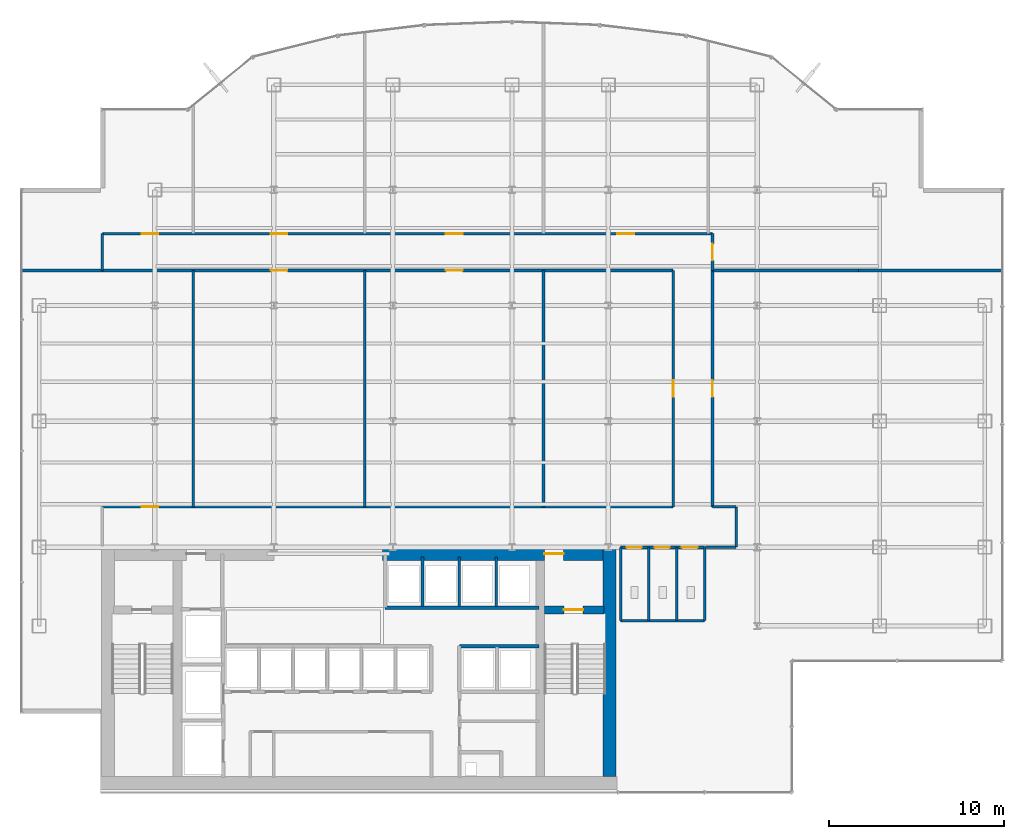
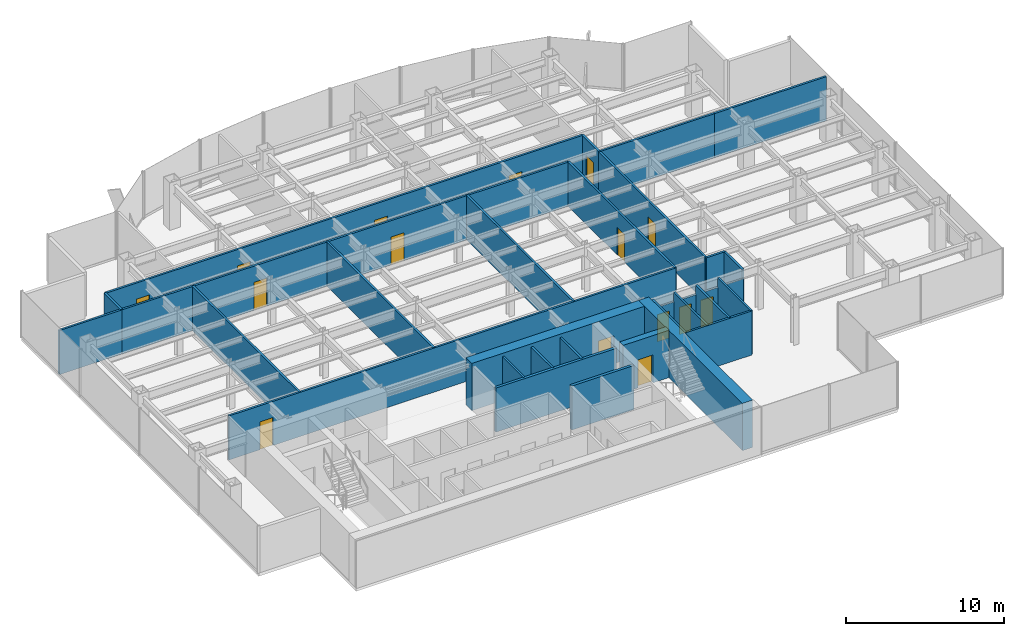
# One storey, part 22 of 26: 30 walls, 15 doors, 15 openings.
"""IFC4 building model written with IfcOpenShell, lengths in metres."""

from ifc_helpers import new_model, si_unit, derived_unit, direction, frame, frame_2d, origin, place, context, subcontext, project, spatial, rectangle, extrude, source, transform, mapped, material, layer, layer_set, type_object, element, fill, save


model = new_model("IFC4")

# Units and contexts
model_context = context("Model", 3, precision=1e-05, world=origin(), true_north=direction((0.0, 1.0)))
body_context = subcontext(model_context, "Body", "Model", "MODEL_VIEW")
ifc_project = project(units=[si_unit("LENGTHUNIT", "METRE"), si_unit("AREAUNIT", "SQUARE_METRE"), si_unit("VOLUMEUNIT", "CUBIC_METRE"), si_unit("PLANEANGLEUNIT", "RADIAN"), si_unit("MASSUNIT", "GRAM", prefix="KILO"), derived_unit("THERMALTRANSMITTANCEUNIT", [(si_unit("POWERUNIT", "WATT"), 1), (si_unit("LENGTHUNIT", "METRE"), -2), (si_unit("THERMODYNAMICTEMPERATUREUNIT", "KELVIN"), -1)])], contexts=[model_context])

# Site, building, storey
site_placement = place(None, origin())
site = spatial("IfcSite", under=ifc_project, at=site_placement, CompositionType="ELEMENT")
building_placement = place(site_placement, origin())
building = spatial("IfcBuilding", under=site, at=building_placement, Name="Skarnbrae Concourse Arena and Tower", CompositionType="ELEMENT")
storey_placement = place(building_placement, frame((0.0, 0.0, 103.25)))
storey = spatial("IfcBuildingStorey", under=building, at=storey_placement, Name="L25", CompositionType="ELEMENT", Elevation=103.25)

# Wall, opening, door
ifc_material_1 = material(Name="Concrete 50 MPa (C50/60)", Category="concrete")
ifc_layer_1 = layer(ifc_material_1, 0.449951171875)
ifc_layer_set_1 = layer_set([ifc_layer_1], Name="Concrete 50 MPa (C50/60)")
wall_type_1 = type_object("IfcWallType", Name="WALL-CORE-450-C50", PredefinedType="SHEAR", material=ifc_layer_set_1)
shared_shape_1 = source(origin(), body_context, "Body", "SweptSolid", [
    extrude(rectangle(XDim=3.389892578125, YDim=0.449951171875, at=frame_2d((1.69482421875, 0.0))), origin(), (0.0, 0.0, 1.0), 3.64990234375),
])
wall_1_placement = place(storey_placement, frame((29.860107421875, 10.419921875, 0.0), z_axis=(0.0, 0.0, 1.0), x_axis=(1.0, 0.0, 0.0)))
wall_1 = element("IfcWall", 1, at=wall_1_placement, inside=storey, type_object=wall_type_1, Name="L25 Rear core shear wall CW-ST2-N", PredefinedType="SHEAR", context=body_context, shape_type="MappedRepresentation", body=[
    mapped(shared_shape_1, transform((0.0, 0.0, 0.0))),
])
opening_1_placement = place(wall_1_placement, frame((1.10009765625, 0.0, 0.0)))
opening_1 = element("IfcOpeningElement", 2, at=opening_1_placement, cuts=wall_1, Name="Opening DT-03", PredefinedType="OPENING", context=body_context, shape_type="SweptSolid", body=[
    extrude(rectangle(XDim=1.10009765625, YDim=2.14990234375, at=frame_2d((0.550048828125, 1.074951171875))), frame((0.0, 0.23486328125, 0.0), z_axis=(0.0, -1.0, 0.0), x_axis=(1.0, 0.0, 0.0)), (0.0, 0.0, 1.0), 0.469970703125),
])
ifc_material_2 = material(Name="Steel CSA G40.21 350W", Category="steel")
door_type_1 = type_object("IfcDoorType", Name="DOOR-FIRE-1100-90M", OperationType="NOTDEFINED", PredefinedType="DOOR", material=ifc_material_2)
shared_shape_2 = source(origin(), body_context, "Body", "SweptSolid", [
    extrude(rectangle(XDim=1.10009765625, YDim=2.14990234375, at=frame_2d((0.550048828125, 1.074951171875))), frame((0.0, 0.02490234375, 0.0), z_axis=(0.0, -1.0, 0.0), x_axis=(1.0, 0.0, 0.0)), (0.0, 0.0, 1.0), 0.050048828125),
])
door_1_placement = place(opening_1_placement, frame((1.10009765625, 0.0, 0.0), z_axis=(0.0, 0.0, 1.0), x_axis=(-1.0, 0.0, 0.0)))
door_1 = element("IfcDoor", 3, at=door_1_placement, inside=storey, type_object=door_type_1, Name="D-0838 Stair ST-2 Door", OperationType="SINGLE_SWING_RIGHT", OverallHeight=2.14990234375, OverallWidth=1.10009765625, PredefinedType="DOOR", context=body_context, shape_type="MappedRepresentation", body=[
    mapped(shared_shape_2, transform((0.0, 0.0, 0.0))),
])
fill(opening_1, door_1)

# Wall
ifc_material_3 = material(Name="Concrete 60 MPa (C60/75)", Category="concrete")
ifc_layer_2 = layer(ifc_material_3, 0.75)
ifc_layer_set_2 = layer_set([ifc_layer_2], Name="Concrete 60 MPa (C60/75)")
wall_type_2 = type_object("IfcWallType", Name="WALL-CORE-750-C60", PredefinedType="SHEAR", material=ifc_layer_set_2)
shared_shape_3 = source(origin(), body_context, "Body", "SweptSolid", [
    extrude(rectangle(XDim=13.10009765625, YDim=0.75, at=frame_2d((6.550048828125, 0.0))), origin(), (0.0, 0.0, 1.0), 3.64990234375),
])
wall_2_placement = place(storey_placement, frame((33.574951171875, 0.89990234375, 0.0), z_axis=(0.0, 0.0, 1.0), x_axis=(0.0, 1.0, 0.0)))
element("IfcWall", 4, at=wall_2_placement, inside=storey, type_object=wall_type_2, Name="L25 Rear core shear wall CW-E", PredefinedType="SHEAR", context=body_context, shape_type="MappedRepresentation", body=[
    mapped(shared_shape_3, transform((0.0, 0.0, 0.0))),
])

# Wall, opening, door
shared_shape_4 = source(origin(), body_context, "Body", "SweptSolid", [
    extrude(rectangle(XDim=12.599853515625, YDim=0.75, at=frame_2d((6.2998046875, 0.0))), origin(), (0.0, 0.0, 1.0), 3.64990234375),
])
wall_3_placement = place(storey_placement, frame((20.60009765625, 13.625, 0.0), z_axis=(0.0, 0.0, 1.0), x_axis=(1.0, 0.0, 0.0)))
wall_3 = element("IfcWall", 5, at=wall_3_placement, inside=storey, type_object=wall_type_2, Name="L25 Rear core shear wall CW-NE", PredefinedType="SHEAR", context=body_context, shape_type="MappedRepresentation", body=[
    mapped(shared_shape_4, transform((0.0, 0.0, 0.0))),
])
opening_2_placement = place(wall_3_placement, frame((9.25, 0.0, 0.0)))
opening_2 = element("IfcOpeningElement", 6, at=opening_2_placement, cuts=wall_3, Name="Opening DT-03", PredefinedType="OPENING", context=body_context, shape_type="SweptSolid", body=[
    extrude(rectangle(XDim=1.10009765625, YDim=2.14990234375, at=frame_2d((0.550048828125, 1.074951171875))), frame((0.0, 0.385009765625, 0.0), z_axis=(0.0, -1.0, 0.0), x_axis=(1.0, 0.0, 0.0)), (0.0, 0.0, 1.0), 0.77001953125),
])
door_2_placement = place(opening_2_placement, origin())
door_2 = element("IfcDoor", 7, at=door_2_placement, inside=storey, type_object=door_type_1, Name="D-0840 Stair ST-2 Vestibule Door", OperationType="SINGLE_SWING_LEFT", OverallHeight=2.14990234375, OverallWidth=1.10009765625, PredefinedType="DOOR", context=body_context, shape_type="MappedRepresentation", body=[
    mapped(shared_shape_2, transform((0.0, 0.0, 0.0))),
])
fill(opening_2, door_2)

# Walls
ifc_material_4 = material(Name="Gypsum board on cold-formed steel studs", Category="steel")
ifc_layer_3 = layer(ifc_material_4, 0.199951171875)
ifc_layer_set_3 = layer_set([ifc_layer_3], Name="Gypsum board on cold-formed steel studs")
wall_type_3 = type_object("IfcWallType", Name="WALL-PART-200-2HR", PredefinedType="PARTITIONING", material=ifc_layer_set_3)
shared_shape_5 = source(origin(), body_context, "Body", "SweptSolid", [
    extrude(rectangle(XDim=8.800048828125, YDim=0.199951171875, at=frame_2d((4.39990234375, 0.0))), origin(), (0.0, 0.0, 1.0), 3.39990234375),
])
wall_4_placement = place(storey_placement, frame((20.75, 10.550048828125, 0.0), z_axis=(0.0, 0.0, 1.0), x_axis=(1.0, 0.0, 0.0)))
element("IfcWall", 8, at=wall_4_placement, inside=storey, type_object=wall_type_3, Name="L25 Interior partition wall W-L25-B3N-S", PredefinedType="PARTITIONING", context=body_context, shape_type="MappedRepresentation", body=[
    mapped(shared_shape_5, transform((0.0, 0.0, 0.0))),
])
ifc_layer_4 = layer(ifc_material_4, 0.14990234375)
ifc_layer_set_4 = layer_set([ifc_layer_4], Name="Gypsum board on cold-formed steel studs")
wall_type_4 = type_object("IfcWallType", Name="WALL-PART-150", PredefinedType="PARTITIONING", material=ifc_layer_set_4)
shared_shape_6 = source(origin(), body_context, "Body", "SweptSolid", [
    extrude(rectangle(XDim=2.849853515625, YDim=0.14990234375, at=frame_2d((1.4248046875, 0.0))), origin(), (0.0, 0.0, 1.0), 3.39990234375),
])
for number, where, z_axis, x_axis, name in (
    (9, (22.889892578125, 10.60009765625, 0.0), (0.0, 0.0, 1.0), (0.0, 1.0, 0.0), "L25 Interior partition wall W-L25-B3N-P1"),
    (10, (24.989990234375, 10.60009765625, 0.0), (0.0, 0.0, 1.0), (0.0, 1.0, 0.0), "L25 Interior partition wall W-L25-B3N-P2"),
    (11, (27.090087890625, 10.60009765625, 0.0), (0.0, 0.0, 1.0), (0.0, 1.0, 0.0), "L25 Interior partition wall W-L25-B3N-P3"),
):
    element("IfcWall", number, at=place(storey_placement, frame(where, z_axis=z_axis, x_axis=x_axis)), inside=storey, type_object=wall_type_4, Name=name, PredefinedType="PARTITIONING", context=body_context, shape_type="MappedRepresentation", body=[
        mapped(shared_shape_6, transform((0.0, 0.0, 0.0))),
    ])
shared_shape_7 = source(origin(), body_context, "Body", "SweptSolid", [
    extrude(rectangle(XDim=4.550048828125, YDim=0.199951171875, at=frame_2d((2.27490234375, 0.0))), origin(), (0.0, 0.0, 1.0), 3.39990234375),
])
wall_5_placement = place(storey_placement, frame((25.0, 8.35009765625, 0.0), z_axis=(0.0, 0.0, 1.0), x_axis=(1.0, 0.0, 0.0)))
element("IfcWall", 12, at=wall_5_placement, inside=storey, type_object=wall_type_3, Name="L25 Interior partition wall W-L25-B3S-N", PredefinedType="PARTITIONING", context=body_context, shape_type="MappedRepresentation", body=[
    mapped(shared_shape_7, transform((0.0, 0.0, 0.0))),
])
shared_shape_8 = source(origin(), body_context, "Body", "SweptSolid", [
    extrude(rectangle(XDim=4.800048828125, YDim=0.14990234375, at=frame_2d((2.39990234375, 0.0))), origin(), (0.0, 0.0, 1.0), 3.39990234375),
])
wall_6_placement = place(storey_placement, frame((34.199951171875, 9.800048828125, 0.0), z_axis=(0.0, 0.0, 1.0), x_axis=(1.0, 0.0, 0.0)))
element("IfcWall", 13, at=wall_6_placement, inside=storey, type_object=wall_type_4, Name="L25 Interior partition wall W-L25-WC-S", PredefinedType="PARTITIONING", context=body_context, shape_type="MappedRepresentation", body=[
    mapped(shared_shape_8, transform((0.0, 0.0, 0.0))),
])
shared_shape_9 = source(origin(), body_context, "Body", "SweptSolid", [
    extrude(rectangle(XDim=4.179931640625, YDim=0.14990234375, at=frame_2d((2.08984375, 0.0))), origin(), (0.0, 0.0, 1.0), 3.39990234375),
])
for number, where, z_axis, x_axis, name in (
    (14, (39.0, 9.800048828125, 0.0), (0.0, 0.0, 1.0), (0.0, 1.0, 0.0), "L25 Interior partition wall W-L25-WC-E"),
    (15, (34.199951171875, 9.800048828125, 0.0), (0.0, 0.0, 1.0), (0.0, 1.0, 0.0), "L25 Interior partition wall W-L25-WC-W"),
    (16, (35.800048828125, 9.800048828125, 0.0), (0.0, 0.0, 1.0), (0.0, 1.0, 0.0), "L25 Interior partition wall W-L25-WC-D1"),
    (17, (37.39990234375, 9.800048828125, 0.0), (0.0, 0.0, 1.0), (0.0, 1.0, 0.0), "L25 Interior partition wall W-L25-WC-D2"),
):
    element("IfcWall", number, at=place(storey_placement, frame(where, z_axis=z_axis, x_axis=x_axis)), inside=storey, type_object=wall_type_4, Name=name, PredefinedType="PARTITIONING", context=body_context, shape_type="MappedRepresentation", body=[
        mapped(shared_shape_9, transform((0.0, 0.0, 0.0))),
    ])

# Wall, openings, doors
shared_shape_10 = source(origin(), body_context, "Body", "SweptSolid", [
    extrude(rectangle(XDim=4.800048828125, YDim=0.14990234375, at=frame_2d((2.39990234375, 0.0))), origin(), (0.0, 0.0, 1.0), 2.701904296875),
])
wall_7_placement = place(storey_placement, frame((34.199951171875, 13.97998046875, 0.0), z_axis=(0.0, 0.0, 1.0), x_axis=(1.0, 0.0, 0.0)))
wall_7 = element("IfcWall", 18, at=wall_7_placement, inside=storey, type_object=wall_type_4, Name="L25 Interior partition wall W-L25-WC-N", PredefinedType="PARTITIONING", context=body_context, shape_type="MappedRepresentation", body=[
    mapped(shared_shape_10, transform((0.0, 0.0, 0.0))),
])
opening_3_placement = place(wall_7_placement, frame((0.35009765625, 0.0, 0.0)))
opening_3 = element("IfcOpeningElement", 19, at=opening_3_placement, cuts=wall_7, Name="Opening DT-06", PredefinedType="OPENING", context=body_context, shape_type="SweptSolid", body=[
    extrude(rectangle(XDim=0.85009765625, YDim=2.10009765625, at=frame_2d((0.425048828125, 1.050048828125))), frame((0.0, 0.0849609375, 0.0), z_axis=(0.0, -1.0, 0.0), x_axis=(1.0, 0.0, 0.0)), (0.0, 0.0, 1.0), 0.169921875),
])
opening_4_placement = place(wall_7_placement, frame((1.949951171875, 0.0, 0.0)))
opening_4 = element("IfcOpeningElement", 20, at=opening_4_placement, cuts=wall_7, Name="Opening DT-06", PredefinedType="OPENING", context=body_context, shape_type="SweptSolid", body=[
    extrude(rectangle(XDim=0.85009765625, YDim=2.10009765625, at=frame_2d((0.425048828125, 1.050048828125))), frame((0.0, 0.0849609375, 0.0), z_axis=(0.0, -1.0, 0.0), x_axis=(1.0, 0.0, 0.0)), (0.0, 0.0, 1.0), 0.169921875),
])
opening_5_placement = place(wall_7_placement, frame((3.5, 0.0, 0.0)))
opening_5 = element("IfcOpeningElement", 21, at=opening_5_placement, cuts=wall_7, Name="Opening DT-05", PredefinedType="OPENING", context=body_context, shape_type="SweptSolid", body=[
    extrude(rectangle(XDim=0.89990234375, YDim=2.10009765625, at=frame_2d((0.449951171875, 1.050048828125))), frame((0.0, 0.0849609375, 0.0), z_axis=(0.0, -1.0, 0.0), x_axis=(1.0, 0.0, 0.0)), (0.0, 0.0, 1.0), 0.169921875),
])
ifc_material_5 = material(Name="Architectural oak veneer timber leaf", Category="wood")
door_type_2 = type_object("IfcDoorType", Name="DOOR-INT-850", OperationType="NOTDEFINED", PredefinedType="DOOR", material=ifc_material_5)
shared_shape_11 = source(origin(), body_context, "Body", "SweptSolid", [
    extrude(rectangle(XDim=0.85009765625, YDim=2.10009765625, at=frame_2d((0.425048828125, 1.050048828125))), frame((0.0, 0.02490234375, 0.0), z_axis=(0.0, -1.0, 0.0), x_axis=(1.0, 0.0, 0.0)), (0.0, 0.0, 1.0), 0.050048828125),
])
door_3_placement = place(opening_3_placement, frame((0.85009765625, 0.0, 0.0), z_axis=(0.0, 0.0, 1.0), x_axis=(-1.0, 0.0, 0.0)))
door_3 = element("IfcDoor", 22, at=door_3_placement, inside=storey, type_object=door_type_2, Name="D-0854 Male Washroom Door", OperationType="SINGLE_SWING_LEFT", OverallHeight=2.10009765625, OverallWidth=0.85009765625, PredefinedType="DOOR", context=body_context, shape_type="MappedRepresentation", body=[
    mapped(shared_shape_11, transform((0.0, 0.0, 0.0))),
])
fill(opening_3, door_3)
door_4_placement = place(opening_4_placement, frame((0.85009765625, 0.0, 0.0), z_axis=(0.0, 0.0, 1.0), x_axis=(-1.0, 0.0, 0.0)))
door_4 = element("IfcDoor", 23, at=door_4_placement, inside=storey, type_object=door_type_2, Name="D-0855 Female Washroom Door", OperationType="SINGLE_SWING_RIGHT", OverallHeight=2.10009765625, OverallWidth=0.85009765625, PredefinedType="DOOR", context=body_context, shape_type="MappedRepresentation", body=[
    mapped(shared_shape_11, transform((0.0, 0.0, 0.0))),
])
fill(opening_4, door_4)
door_type_3 = type_object("IfcDoorType", Name="DOOR-INT-900", OperationType="NOTDEFINED", PredefinedType="DOOR", material=ifc_material_5)
shared_shape_12 = source(origin(), body_context, "Body", "SweptSolid", [
    extrude(rectangle(XDim=0.89990234375, YDim=2.10009765625, at=frame_2d((0.449951171875, 1.050048828125))), frame((0.0, 0.02490234375, 0.0), z_axis=(0.0, -1.0, 0.0), x_axis=(1.0, 0.0, 0.0)), (0.0, 0.0, 1.0), 0.050048828125),
])
door_5_placement = place(opening_5_placement, frame((0.89990234375, 0.0, 0.0), z_axis=(0.0, 0.0, 1.0), x_axis=(-1.0, 0.0, 0.0)))
door_5 = element("IfcDoor", 24, at=door_5_placement, inside=storey, type_object=door_type_3, Name="D-0856 Accessible WC Door", OperationType="SINGLE_SWING_LEFT", OverallHeight=2.10009765625, OverallWidth=0.89990234375, PredefinedType="DOOR", context=body_context, shape_type="MappedRepresentation", body=[
    mapped(shared_shape_12, transform((0.0, 0.0, 0.0))),
])
fill(opening_5, door_5)

# Walls
ifc_layer_5 = layer(ifc_material_4, 0.14990234375)
ifc_layer_set_5 = layer_set([ifc_layer_5], Name="Gypsum board on cold-formed steel studs")
wall_type_5 = type_object("IfcWallType", Name="WALL-PART-150-1HR", PredefinedType="PARTITIONING", material=ifc_layer_set_5)
shared_shape_13 = source(origin(), body_context, "Body", "SweptSolid", [
    extrude(rectangle(XDim=2.300048828125, YDim=0.14990234375, at=frame_2d((1.14990234375, 0.0))), origin(), (0.0, 0.0, 1.0), 3.39990234375),
])
wall_8_placement = place(storey_placement, frame((40.800048828125, 16.300048828125, 0.0), z_axis=(0.0, 0.0, 1.0), x_axis=(0.0, -1.0, 0.0)))
element("IfcWall", 25, at=wall_8_placement, inside=storey, type_object=wall_type_5, Name="L25 Interior partition wall W-L25-COR-10", PredefinedType="PARTITIONING", context=body_context, shape_type="MappedRepresentation", body=[
    mapped(shared_shape_13, transform((0.0, 0.0, 0.0))),
])
shared_shape_14 = source(origin(), body_context, "Body", "SweptSolid", [
    extrude(rectangle(XDim=1.75, YDim=0.14990234375, at=frame_2d((0.875, 0.0))), origin(), (0.0, 0.0, 1.0), 2.701904296875),
])
wall_9_placement = place(storey_placement, frame((40.800048828125, 14.0, 0.0), z_axis=(0.0, 0.0, 1.0), x_axis=(-1.0, 0.0, 0.0)))
element("IfcWall", 26, at=wall_9_placement, inside=storey, type_object=wall_type_5, Name="L25 Interior partition wall W-L25-COR-11", PredefinedType="PARTITIONING", context=body_context, shape_type="MappedRepresentation", body=[
    mapped(shared_shape_14, transform((0.0, 0.0, 0.0))),
])

# Wall, opening, door
shared_shape_15 = source(origin(), body_context, "Body", "SweptSolid", [
    extrude(rectangle(XDim=32.599853515625, YDim=0.14990234375, at=frame_2d((16.2998046875, 0.0))), origin(), (0.0, 0.0, 1.0), 3.39990234375),
])
wall_10_placement = place(storey_placement, frame((4.60009765625, 16.300048828125, 0.0), z_axis=(0.0, 0.0, 1.0), x_axis=(1.0, 0.0, 0.0)))
wall_10 = element("IfcWall", 27, at=wall_10_placement, inside=storey, type_object=wall_type_5, Name="L25 Interior partition wall W-L25-COR-02", PredefinedType="PARTITIONING", context=body_context, shape_type="MappedRepresentation", body=[
    mapped(shared_shape_15, transform((0.0, 0.0, 0.0))),
])
opening_6_placement = place(wall_10_placement, frame((2.2548828125, 0.0, 0.0)))
opening_6 = element("IfcOpeningElement", 28, at=opening_6_placement, cuts=wall_10, Name="Opening DT-04", PredefinedType="OPENING", context=body_context, shape_type="SweptSolid", body=[
    extrude(rectangle(XDim=0.949951171875, YDim=2.14990234375, at=frame_2d((0.47509765625, 1.074951171875))), frame((0.0, 0.0849609375, 0.0), z_axis=(0.0, -1.0, 0.0), x_axis=(1.0, 0.0, 0.0)), (0.0, 0.0, 1.0), 0.169921875),
])
door_type_4 = type_object("IfcDoorType", Name="DOOR-INT-950-45M", OperationType="NOTDEFINED", PredefinedType="DOOR", material=ifc_material_2)
shared_shape_16 = source(origin(), body_context, "Body", "SweptSolid", [
    extrude(rectangle(XDim=0.949951171875, YDim=2.14990234375, at=frame_2d((0.47509765625, 1.074951171875))), frame((0.0, 0.02490234375, 0.0), z_axis=(0.0, -1.0, 0.0), x_axis=(1.0, 0.0, 0.0)), (0.0, 0.0, 1.0), 0.050048828125),
])
door_6_placement = place(opening_6_placement, origin())
door_6 = element("IfcDoor", 29, at=door_6_placement, inside=storey, type_object=door_type_4, Name="D-0857 L25 Suite Door 01", OperationType="SINGLE_SWING_RIGHT", OverallHeight=2.14990234375, OverallWidth=0.949951171875, PredefinedType="DOOR", context=body_context, shape_type="MappedRepresentation", body=[
    mapped(shared_shape_16, transform((0.0, 0.0, 0.0))),
])
fill(opening_6, door_6)

# Wall, openings, doors
wall_11_placement = place(storey_placement, frame((37.199951171875, 29.800048828125, 0.0), z_axis=(0.0, 0.0, 1.0), x_axis=(-1.0, 0.0, 0.0)))
wall_11 = element("IfcWall", 30, at=wall_11_placement, inside=storey, type_object=wall_type_5, Name="L25 Interior partition wall W-L25-COR-04", PredefinedType="PARTITIONING", context=body_context, shape_type="MappedRepresentation", body=[
    mapped(shared_shape_15, transform((0.0, 0.0, 0.0))),
])
opening_7_placement = place(wall_11_placement, frame((22.02490234375, 0.0, 0.0)))
opening_7 = element("IfcOpeningElement", 31, at=opening_7_placement, cuts=wall_11, Name="Opening DT-04", PredefinedType="OPENING", context=body_context, shape_type="SweptSolid", body=[
    extrude(rectangle(XDim=0.949951171875, YDim=2.14990234375, at=frame_2d((0.47509765625, 1.074951171875))), frame((0.0, 0.0849609375, 0.0), z_axis=(0.0, -1.0, 0.0), x_axis=(1.0, 0.0, 0.0)), (0.0, 0.0, 1.0), 0.169921875),
])
opening_8_placement = place(wall_11_placement, frame((12.02490234375, 0.0, 0.0)))
opening_8 = element("IfcOpeningElement", 32, at=opening_8_placement, cuts=wall_11, Name="Opening DT-04", PredefinedType="OPENING", context=body_context, shape_type="SweptSolid", body=[
    extrude(rectangle(XDim=0.949951171875, YDim=2.14990234375, at=frame_2d((0.47509765625, 1.074951171875))), frame((0.0, 0.0849609375, 0.0), z_axis=(0.0, -1.0, 0.0), x_axis=(1.0, 0.0, 0.0)), (0.0, 0.0, 1.0), 0.169921875),
])
door_7_placement = place(opening_7_placement, origin())
door_7 = element("IfcDoor", 33, at=door_7_placement, inside=storey, type_object=door_type_4, Name="D-0859 L25 Suite Door 03", OperationType="SINGLE_SWING_RIGHT", OverallHeight=2.14990234375, OverallWidth=0.949951171875, PredefinedType="DOOR", context=body_context, shape_type="MappedRepresentation", body=[
    mapped(shared_shape_16, transform((0.0, 0.0, 0.0))),
])
fill(opening_7, door_7)
door_8_placement = place(opening_8_placement, origin())
door_8 = element("IfcDoor", 34, at=door_8_placement, inside=storey, type_object=door_type_4, Name="D-0861 L25 Suite Door 05", OperationType="SINGLE_SWING_RIGHT", OverallHeight=2.14990234375, OverallWidth=0.949951171875, PredefinedType="DOOR", context=body_context, shape_type="MappedRepresentation", body=[
    mapped(shared_shape_16, transform((0.0, 0.0, 0.0))),
])
fill(opening_8, door_8)

# Wall, opening, door
shared_shape_17 = source(origin(), body_context, "Body", "SweptSolid", [
    extrude(rectangle(XDim=13.5, YDim=0.14990234375, at=frame_2d((6.75, 0.0))), origin(), (0.0, 0.0, 1.0), 3.39990234375),
])
wall_12_placement = place(storey_placement, frame((37.199951171875, 16.300048828125, 0.0), z_axis=(0.0, 0.0, 1.0), x_axis=(0.0, 1.0, 0.0)))
wall_12 = element("IfcWall", 35, at=wall_12_placement, inside=storey, type_object=wall_type_5, Name="L25 Interior partition wall W-L25-COR-03", PredefinedType="PARTITIONING", context=body_context, shape_type="MappedRepresentation", body=[
    mapped(shared_shape_17, transform((0.0, 0.0, 0.0))),
])
opening_9_placement = place(wall_12_placement, frame((6.27490234375, 0.0, 0.0)))
opening_9 = element("IfcOpeningElement", 36, at=opening_9_placement, cuts=wall_12, Name="Opening DT-04", PredefinedType="OPENING", context=body_context, shape_type="SweptSolid", body=[
    extrude(rectangle(XDim=0.949951171875, YDim=2.14990234375, at=frame_2d((0.47509765625, 1.074951171875))), frame((0.0, 0.0849609375, 0.0), z_axis=(0.0, -1.0, 0.0), x_axis=(1.0, 0.0, 0.0)), (0.0, 0.0, 1.0), 0.169921875),
])
door_9_placement = place(opening_9_placement, origin())
door_9 = element("IfcDoor", 37, at=door_9_placement, inside=storey, type_object=door_type_4, Name="D-0863 L25 Suite Door 07", OperationType="SINGLE_SWING_RIGHT", OverallHeight=2.14990234375, OverallWidth=0.949951171875, PredefinedType="DOOR", context=body_context, shape_type="MappedRepresentation", body=[
    mapped(shared_shape_16, transform((0.0, 0.0, 0.0))),
])
fill(opening_9, door_9)

wall_13_placement = place(storey_placement, frame((39.449951171875, 29.800048828125, 0.0), z_axis=(0.0, 0.0, 1.0), x_axis=(0.0, -1.0, 0.0)))
wall_13 = element("IfcWall", 38, at=wall_13_placement, inside=storey, type_object=wall_type_5, Name="L25 Interior partition wall W-L25-COR-08", PredefinedType="PARTITIONING", context=body_context, shape_type="MappedRepresentation", body=[
    mapped(shared_shape_17, transform((0.0, 0.0, 0.0))),
])
opening_10_placement = place(wall_13_placement, frame((6.27490234375, 0.0, 0.0)))
opening_10 = element("IfcOpeningElement", 39, at=opening_10_placement, cuts=wall_13, Name="Opening DT-04", PredefinedType="OPENING", context=body_context, shape_type="SweptSolid", body=[
    extrude(rectangle(XDim=0.949951171875, YDim=2.14990234375, at=frame_2d((0.47509765625, 1.074951171875))), frame((0.0, 0.0849609375, 0.0), z_axis=(0.0, -1.0, 0.0), x_axis=(1.0, 0.0, 0.0)), (0.0, 0.0, 1.0), 0.169921875),
])
door_10_placement = place(opening_10_placement, origin())
door_10 = element("IfcDoor", 40, at=door_10_placement, inside=storey, type_object=door_type_4, Name="D-0866 L25 Suite Door 10", OperationType="SINGLE_SWING_LEFT", OverallHeight=2.14990234375, OverallWidth=0.949951171875, PredefinedType="DOOR", context=body_context, shape_type="MappedRepresentation", body=[
    mapped(shared_shape_16, transform((0.0, 0.0, 0.0))),
])
fill(opening_10, door_10)

# Walls
for number, where, z_axis, x_axis, name in (
    (41, (9.800048828125, 29.800048828125, 0.0), (0.0, 0.0, 1.0), (0.0, -1.0, 0.0), "L25 Interior partition wall W-L25-DEM-13"),
    (42, (19.60009765625, 29.800048828125, 0.0), (0.0, 0.0, 1.0), (0.0, -1.0, 0.0), "L25 Interior partition wall W-L25-DEM-15"),
    (43, (29.800048828125, 29.800048828125, 0.0), (0.0, 0.0, 1.0), (0.0, -1.0, 0.0), "L25 Interior partition wall W-L25-DEM-17"),
):
    element("IfcWall", number, at=place(storey_placement, frame(where, z_axis=z_axis, x_axis=x_axis)), inside=storey, type_object=wall_type_4, Name=name, PredefinedType="PARTITIONING", context=body_context, shape_type="MappedRepresentation", body=[
        mapped(shared_shape_17, transform((0.0, 0.0, 0.0))),
    ])
shared_shape_18 = source(origin(), body_context, "Body", "SweptSolid", [
    extrude(rectangle(XDim=2.099853515625, YDim=0.14990234375, at=frame_2d((1.0498046875, 0.0))), origin(), (0.0, 0.0, 1.0), 3.39990234375),
])
wall_14_placement = place(storey_placement, frame((4.60009765625, 29.800048828125, 0.0), z_axis=(0.0, 0.0, 1.0), x_axis=(0.0, 1.0, 0.0)))
element("IfcWall", 44, at=wall_14_placement, inside=storey, type_object=wall_type_5, Name="L25 Interior partition wall W-L25-COR-05", PredefinedType="PARTITIONING", context=body_context, shape_type="MappedRepresentation", body=[
    mapped(shared_shape_18, transform((0.0, 0.0, 0.0))),
])

# Wall, opening, door
wall_15_placement = place(storey_placement, frame((39.449951171875, 31.89990234375, 0.0), z_axis=(0.0, 0.0, 1.0), x_axis=(0.0, -1.0, 0.0)))
wall_15 = element("IfcWall", 45, at=wall_15_placement, inside=storey, type_object=wall_type_5, Name="L25 Interior partition wall W-L25-COR-07", PredefinedType="PARTITIONING", context=body_context, shape_type="MappedRepresentation", body=[
    mapped(shared_shape_18, transform((0.0, 0.0, 0.0))),
])
opening_11_placement = place(wall_15_placement, frame((0.574951171875, 0.0, 0.0)))
opening_11 = element("IfcOpeningElement", 46, at=opening_11_placement, cuts=wall_15, Name="Opening DT-04", PredefinedType="OPENING", context=body_context, shape_type="SweptSolid", body=[
    extrude(rectangle(XDim=0.949951171875, YDim=2.14990234375, at=frame_2d((0.47509765625, 1.074951171875))), frame((0.0, 0.0849609375, 0.0), z_axis=(0.0, -1.0, 0.0), x_axis=(1.0, 0.0, 0.0)), (0.0, 0.0, 1.0), 0.169921875),
])
door_11_placement = place(opening_11_placement, origin())
door_11 = element("IfcDoor", 47, at=door_11_placement, inside=storey, type_object=door_type_4, Name="D-0865 L25 Suite Door 09", OperationType="SINGLE_SWING_RIGHT", OverallHeight=2.14990234375, OverallWidth=0.949951171875, PredefinedType="DOOR", context=body_context, shape_type="MappedRepresentation", body=[
    mapped(shared_shape_16, transform((0.0, 0.0, 0.0))),
])
fill(opening_11, door_11)

# Wall, openings, doors
shared_shape_19 = source(origin(), body_context, "Body", "SweptSolid", [
    extrude(rectangle(XDim=34.849853515625, YDim=0.14990234375, at=frame_2d((17.4248046875, 0.0))), origin(), (0.0, 0.0, 1.0), 3.39990234375),
])
wall_16_placement = place(storey_placement, frame((4.60009765625, 31.89990234375, 0.0), z_axis=(0.0, 0.0, 1.0), x_axis=(1.0, 0.0, 0.0)))
wall_16 = element("IfcWall", 48, at=wall_16_placement, inside=storey, type_object=wall_type_5, Name="L25 Interior partition wall W-L25-COR-06", PredefinedType="PARTITIONING", context=body_context, shape_type="MappedRepresentation", body=[
    mapped(shared_shape_19, transform((0.0, 0.0, 0.0))),
])
opening_12_placement = place(wall_16_placement, frame((2.2548828125, 0.0, 0.0)))
opening_12 = element("IfcOpeningElement", 49, at=opening_12_placement, cuts=wall_16, Name="Opening DT-04", PredefinedType="OPENING", context=body_context, shape_type="SweptSolid", body=[
    extrude(rectangle(XDim=0.949951171875, YDim=2.14990234375, at=frame_2d((0.47509765625, 1.074951171875))), frame((0.0, 0.0849609375, 0.0), z_axis=(0.0, -1.0, 0.0), x_axis=(1.0, 0.0, 0.0)), (0.0, 0.0, 1.0), 0.169921875),
])
opening_13_placement = place(wall_16_placement, frame((9.625, 0.0, 0.0)))
opening_13 = element("IfcOpeningElement", 50, at=opening_13_placement, cuts=wall_16, Name="Opening DT-04", PredefinedType="OPENING", context=body_context, shape_type="SweptSolid", body=[
    extrude(rectangle(XDim=0.949951171875, YDim=2.14990234375, at=frame_2d((0.47509765625, 1.074951171875))), frame((0.0, 0.0849609375, 0.0), z_axis=(0.0, -1.0, 0.0), x_axis=(1.0, 0.0, 0.0)), (0.0, 0.0, 1.0), 0.169921875),
])
opening_14_placement = place(wall_16_placement, frame((19.625, 0.0, 0.0)))
opening_14 = element("IfcOpeningElement", 51, at=opening_14_placement, cuts=wall_16, Name="Opening DT-04", PredefinedType="OPENING", context=body_context, shape_type="SweptSolid", body=[
    extrude(rectangle(XDim=0.949951171875, YDim=2.14990234375, at=frame_2d((0.47509765625, 1.074951171875))), frame((0.0, 0.0849609375, 0.0), z_axis=(0.0, -1.0, 0.0), x_axis=(1.0, 0.0, 0.0)), (0.0, 0.0, 1.0), 0.169921875),
])
opening_15_placement = place(wall_16_placement, frame((29.419921875, 0.0, 0.0)))
opening_15 = element("IfcOpeningElement", 52, at=opening_15_placement, cuts=wall_16, Name="Opening DT-04", PredefinedType="OPENING", context=body_context, shape_type="SweptSolid", body=[
    extrude(rectangle(XDim=0.949951171875, YDim=2.14990234375, at=frame_2d((0.47509765625, 1.074951171875))), frame((0.0, 0.0849609375, 0.0), z_axis=(0.0, -1.0, 0.0), x_axis=(1.0, 0.0, 0.0)), (0.0, 0.0, 1.0), 0.169921875),
])
door_12_placement = place(opening_12_placement, origin())
door_12 = element("IfcDoor", 53, at=door_12_placement, inside=storey, type_object=door_type_4, Name="D-0858 L25 Suite Door 02", OperationType="SINGLE_SWING_LEFT", OverallHeight=2.14990234375, OverallWidth=0.949951171875, PredefinedType="DOOR", context=body_context, shape_type="MappedRepresentation", body=[
    mapped(shared_shape_16, transform((0.0, 0.0, 0.0))),
])
fill(opening_12, door_12)
door_13_placement = place(opening_13_placement, origin())
door_13 = element("IfcDoor", 54, at=door_13_placement, inside=storey, type_object=door_type_4, Name="D-0860 L25 Suite Door 04", OperationType="SINGLE_SWING_LEFT", OverallHeight=2.14990234375, OverallWidth=0.949951171875, PredefinedType="DOOR", context=body_context, shape_type="MappedRepresentation", body=[
    mapped(shared_shape_16, transform((0.0, 0.0, 0.0))),
])
fill(opening_13, door_13)
door_14_placement = place(opening_14_placement, origin())
door_14 = element("IfcDoor", 55, at=door_14_placement, inside=storey, type_object=door_type_4, Name="D-0862 L25 Suite Door 06", OperationType="SINGLE_SWING_LEFT", OverallHeight=2.14990234375, OverallWidth=0.949951171875, PredefinedType="DOOR", context=body_context, shape_type="MappedRepresentation", body=[
    mapped(shared_shape_16, transform((0.0, 0.0, 0.0))),
])
fill(opening_14, door_14)
door_15_placement = place(opening_15_placement, origin())
door_15 = element("IfcDoor", 56, at=door_15_placement, inside=storey, type_object=door_type_4, Name="D-0864 L25 Suite Door 08", OperationType="SINGLE_SWING_LEFT", OverallHeight=2.14990234375, OverallWidth=0.949951171875, PredefinedType="DOOR", context=body_context, shape_type="MappedRepresentation", body=[
    mapped(shared_shape_16, transform((0.0, 0.0, 0.0))),
])
fill(opening_15, door_15)

# Walls
shared_shape_20 = source(origin(), body_context, "Body", "SweptSolid", [
    extrude(rectangle(XDim=1.35009765625, YDim=0.14990234375, at=frame_2d((0.675048828125, 0.0))), origin(), (0.0, 0.0, 1.0), 3.39990234375),
])
wall_17_placement = place(storey_placement, frame((39.449951171875, 16.300048828125, 0.0), z_axis=(0.0, 0.0, 1.0), x_axis=(1.0, 0.0, 0.0)))
element("IfcWall", 57, at=wall_17_placement, inside=storey, type_object=wall_type_5, Name="L25 Interior partition wall W-L25-COR-09", PredefinedType="PARTITIONING", context=body_context, shape_type="MappedRepresentation", body=[
    mapped(shared_shape_20, transform((0.0, 0.0, 0.0))),
])
shared_shape_21 = source(origin(), body_context, "Body", "SweptSolid", [
    extrude(rectangle(XDim=4.580078125, YDim=0.14990234375, at=frame_2d((2.2900390625, 0.0))), origin(), (0.0, 0.0, 1.0), 3.39990234375),
])
wall_18_placement = place(storey_placement, frame((0.02001953125, 29.800048828125, 0.0), z_axis=(0.0, 0.0, 1.0), x_axis=(1.0, 0.0, 0.0)))
element("IfcWall", 58, at=wall_18_placement, inside=storey, type_object=wall_type_4, Name="L25 Interior partition wall W-L25-DEM-12", PredefinedType="PARTITIONING", context=body_context, shape_type="MappedRepresentation", body=[
    mapped(shared_shape_21, transform((0.0, 0.0, 0.0))),
])
shared_shape_22 = source(origin(), body_context, "Body", "SweptSolid", [
    extrude(rectangle(XDim=8.179931640625, YDim=0.14990234375, at=frame_2d((4.08984375, 0.0))), origin(), (0.0, 0.0, 1.0), 3.39990234375),
])
wall_19_placement = place(storey_placement, frame((55.97998046875, 29.800048828125, 0.0), z_axis=(0.0, 0.0, 1.0), x_axis=(-1.0, 0.0, 0.0)))
element("IfcWall", 59, at=wall_19_placement, inside=storey, type_object=wall_type_4, Name="L25 Interior partition wall W-L25-DEM-20", PredefinedType="PARTITIONING", context=body_context, shape_type="MappedRepresentation", body=[
    mapped(shared_shape_22, transform((0.0, 0.0, 0.0))),
])
shared_shape_23 = source(origin(), body_context, "Body", "SweptSolid", [
    extrude(rectangle(XDim=8.35009765625, YDim=0.14990234375, at=frame_2d((4.175048828125, 0.0))), origin(), (0.0, 0.0, 1.0), 3.39990234375),
])
wall_20_placement = place(storey_placement, frame((47.800048828125, 29.800048828125, 0.0), z_axis=(0.0, 0.0, 1.0), x_axis=(-1.0, 0.0, 0.0)))
element("IfcWall", 60, at=wall_20_placement, inside=storey, type_object=wall_type_4, Name="L25 Interior partition wall W-L25-DEM-21", PredefinedType="PARTITIONING", context=body_context, shape_type="MappedRepresentation", body=[
    mapped(shared_shape_23, transform((0.0, 0.0, 0.0))),
])

save(model, "model.ifc")
